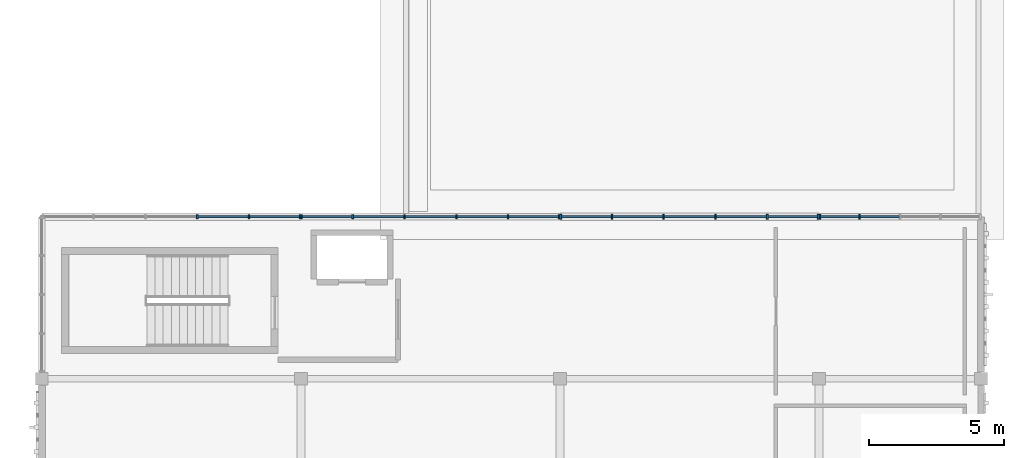
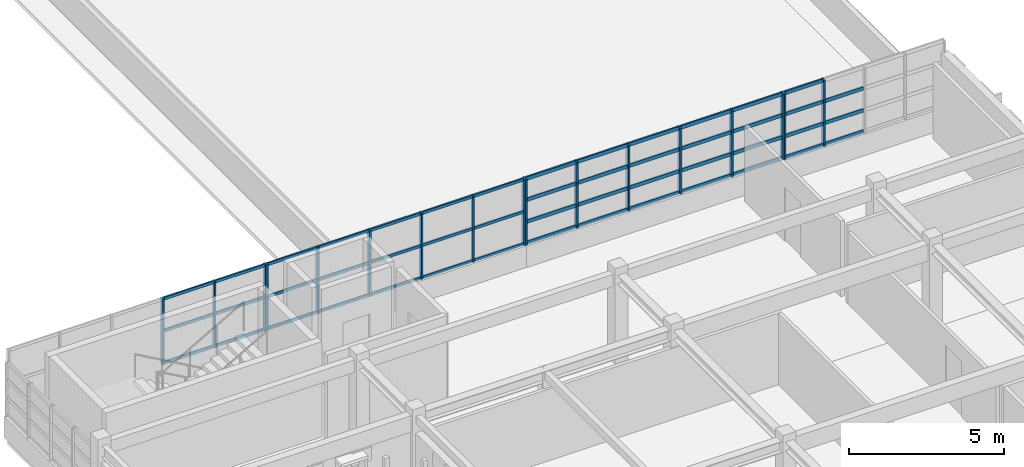
# One storey, part 16 of 53: 65 members, 4 elements without a shape of their own.
"""IFC4 building model written with IfcOpenShell, lengths in metres."""

from ifc_helpers import new_model, si_unit, direction, frame, origin, origin_2d, place, context, subcontext, project, spatial, rectangle, extrude, material, material_profile, profile_set, type_object, element, aggregate, save


model = new_model("IFC4")

# Units and contexts
model_context = context("Model", 3, precision=1e-05, world=origin(), true_north=direction((0.0, 1.0)))
body_context = subcontext(model_context, "Body", "Model", "MODEL_VIEW")
ifc_project = project(units=[si_unit("LENGTHUNIT", "METRE"), si_unit("AREAUNIT", "SQUARE_METRE"), si_unit("VOLUMEUNIT", "CUBIC_METRE"), si_unit("PLANEANGLEUNIT", "RADIAN"), si_unit("MASSUNIT", "GRAM", prefix="KILO")], contexts=[model_context])

# Site, building, storey
site_placement = place(None, origin())
site = spatial("IfcSite", under=ifc_project, at=site_placement, CompositionType="ELEMENT")
building_placement = place(site_placement, origin())
building = spatial("IfcBuilding", under=site, at=building_placement, Name="Nzembalo Square Collegiate School", CompositionType="ELEMENT")
storey_placement = place(building_placement, frame((0.0, 0.0, 13.60009765625)))
storey = spatial("IfcBuildingStorey", under=building, at=storey_placement, Name="L03", CompositionType="ELEMENT", Elevation=13.60009765625)

# Curtain wall, members
ifc_material_1 = material(Name="Aluminium 6060-T66", Category="aluminium")
curtain_wall_type_1 = type_object("IfcCurtainWallType", Name="CW-09", PredefinedType="USERDEFINED", material=ifc_material_1)
curtain_wall_1_placement = place(storey_placement, origin())
curtain_wall_1 = element("IfcCurtainWall", 1, at=curtain_wall_1_placement, inside=storey, type_object=curtain_wall_type_1, Name="Curtain wall CW-09 cw:L03:124", ObjectType="UNITISED", PredefinedType="USERDEFINED")
ifc_material_2 = material(Name="Aluminium 6060-T66", Category="aluminium")
ifc_material_profile_1 = material_profile(ifc_material_2, rectangle(XDim=0.06005859375, YDim=0.179931640625, at=origin_2d()), Name="ALU M60x180")
ifc_profile_set_1 = profile_set([ifc_material_profile_1], Name="Aluminium 6060-T66")
member_type_1 = type_object("IfcMemberType", Name="ML01", PredefinedType="MULLION", material=ifc_profile_set_1)
member_1_placement = place(storey_placement, frame((150.030029296875, 88.800048828125, 0.849853515625), z_axis=(0.0, 0.0, 1.0), x_axis=(1.0, 0.0, 0.0)))
member_1 = element("IfcMember", 2, at=member_1_placement, type_object=member_type_1, Name="ML01 mullion 1", PredefinedType="MULLION", context=body_context, shape_type="SweptSolid", body=[
    extrude(rectangle(XDim=0.06005859375, YDim=0.179931640625, at=origin_2d()), origin(), (0.0, 0.0, 1.0), 2.583984375),
])
member_2_placement = place(storey_placement, frame((151.919921875, 88.800048828125, 0.849853515625), z_axis=(0.0, 0.0, 1.0), x_axis=(1.0, 0.0, 0.0)))
member_2 = element("IfcMember", 3, at=member_2_placement, type_object=member_type_1, Name="ML01 mullion 2", PredefinedType="MULLION", context=body_context, shape_type="SweptSolid", body=[
    extrude(rectangle(XDim=0.06005859375, YDim=0.179931640625, at=origin_2d()), origin(), (0.0, 0.0, 1.0), 2.583984375),
])
member_3_placement = place(storey_placement, frame((153.840087890625, 88.800048828125, 0.849853515625), z_axis=(0.0, 0.0, 1.0), x_axis=(1.0, 0.0, 0.0)))
member_3 = element("IfcMember", 4, at=member_3_placement, type_object=member_type_1, Name="ML01 mullion 3", PredefinedType="MULLION", context=body_context, shape_type="SweptSolid", body=[
    extrude(rectangle(XDim=0.06005859375, YDim=0.179931640625, at=origin_2d()), origin(), (0.0, 0.0, 1.0), 2.583984375),
])
member_4_placement = place(storey_placement, frame((155.760009765625, 88.800048828125, 0.849853515625), z_axis=(0.0, 0.0, 1.0), x_axis=(1.0, 0.0, 0.0)))
member_4 = element("IfcMember", 5, at=member_4_placement, type_object=member_type_1, Name="ML01 mullion 4", PredefinedType="MULLION", context=body_context, shape_type="SweptSolid", body=[
    extrude(rectangle(XDim=0.06005859375, YDim=0.179931640625, at=origin_2d()), origin(), (0.0, 0.0, 1.0), 2.583984375),
])
member_5_placement = place(storey_placement, frame((157.679931640625, 88.800048828125, 0.849853515625), z_axis=(0.0, 0.0, 1.0), x_axis=(1.0, 0.0, 0.0)))
member_5 = element("IfcMember", 6, at=member_5_placement, type_object=member_type_1, Name="ML01 mullion 5", PredefinedType="MULLION", context=body_context, shape_type="SweptSolid", body=[
    extrude(rectangle(XDim=0.06005859375, YDim=0.179931640625, at=origin_2d()), origin(), (0.0, 0.0, 1.0), 2.583984375),
])
member_6_placement = place(storey_placement, frame((159.570068359375, 88.800048828125, 0.849853515625), z_axis=(0.0, 0.0, 1.0), x_axis=(1.0, 0.0, 0.0)))
member_6 = element("IfcMember", 7, at=member_6_placement, type_object=member_type_1, Name="ML01 mullion 6", PredefinedType="MULLION", context=body_context, shape_type="SweptSolid", body=[
    extrude(rectangle(XDim=0.06005859375, YDim=0.179931640625, at=origin_2d()), origin(), (0.0, 0.0, 1.0), 2.583984375),
])

ifc_material_3 = material(Name="Aluminium 6060-T66", Category="aluminium")
curtain_wall_type_2 = type_object("IfcCurtainWallType", Name="CW-06", PredefinedType="USERDEFINED", material=ifc_material_3)
curtain_wall_2_placement = place(storey_placement, origin())
curtain_wall_2 = element("IfcCurtainWall", 8, at=curtain_wall_2_placement, inside=storey, type_object=curtain_wall_type_2, Name="Curtain wall CW-06 cw:L03:125", ObjectType="LANCET", PredefinedType="USERDEFINED")
member_7_placement = place(storey_placement, frame((159.6298828125, 88.800048828125, 0.849853515625), z_axis=(0.0, 0.0, 1.0), x_axis=(1.0, 0.0, 0.0)))
member_7 = element("IfcMember", 9, at=member_7_placement, type_object=member_type_1, Name="ML01 mullion 1", PredefinedType="MULLION", context=body_context, shape_type="SweptSolid", body=[
    extrude(rectangle(XDim=0.06005859375, YDim=0.179931640625, at=origin_2d()), origin(), (0.0, 0.0, 1.0), 2.583984375),
])
member_8_placement = place(storey_placement, frame((161.10009765625, 88.800048828125, 0.849853515625), z_axis=(0.0, 0.0, 1.0), x_axis=(1.0, 0.0, 0.0)))
member_8 = element("IfcMember", 10, at=member_8_placement, type_object=member_type_1, Name="ML01 mullion 2", PredefinedType="MULLION", context=body_context, shape_type="SweptSolid", body=[
    extrude(rectangle(XDim=0.06005859375, YDim=0.179931640625, at=origin_2d()), origin(), (0.0, 0.0, 1.0), 2.583984375),
])

ifc_material_4 = material(Name="Aluminium 6060-T66", Category="aluminium")
curtain_wall_type_3 = type_object("IfcCurtainWallType", Name="CW-11", PredefinedType="USERDEFINED", material=ifc_material_4)
curtain_wall_3_placement = place(storey_placement, origin())
curtain_wall_3 = element("IfcCurtainWall", 11, at=curtain_wall_3_placement, inside=storey, type_object=curtain_wall_type_3, Name="Curtain wall CW-11 cw:L03:122", ObjectType="LANCET", PredefinedType="USERDEFINED")
ifc_material_5 = material(Name="Aluminium 6060-T66", Category="aluminium")
ifc_material_profile_2 = material_profile(ifc_material_5, rectangle(XDim=0.06005859375, YDim=0.14990234375, at=origin_2d()), Name="ALU M60x150")
ifc_profile_set_2 = profile_set([ifc_material_profile_2], Name="Aluminium 6060-T66")
member_type_2 = type_object("IfcMemberType", Name="ML02", PredefinedType="MULLION", material=ifc_profile_set_2)
member_9_placement = place(storey_placement, frame((136.56005859375, 88.800048828125, 0.849853515625), z_axis=(0.0, 0.0, 1.0), x_axis=(1.0, 0.0, 0.0)))
member_9 = element("IfcMember", 12, at=member_9_placement, type_object=member_type_2, Name="ML02 mullion 4", PredefinedType="MULLION", context=body_context, shape_type="SweptSolid", body=[
    extrude(rectangle(XDim=0.06005859375, YDim=0.14990234375, at=origin_2d()), origin(), (0.0, 0.0, 1.0), 2.583984375),
])
member_10_placement = place(storey_placement, frame((138.47998046875, 88.800048828125, 0.849853515625), z_axis=(0.0, 0.0, 1.0), x_axis=(1.0, 0.0, 0.0)))
member_10 = element("IfcMember", 13, at=member_10_placement, type_object=member_type_2, Name="ML02 mullion 5", PredefinedType="MULLION", context=body_context, shape_type="SweptSolid", body=[
    extrude(rectangle(XDim=0.06005859375, YDim=0.14990234375, at=origin_2d()), origin(), (0.0, 0.0, 1.0), 2.583984375),
])
member_11_placement = place(storey_placement, frame((140.3701171875, 88.800048828125, 0.849853515625), z_axis=(0.0, 0.0, 1.0), x_axis=(1.0, 0.0, 0.0)))
member_11 = element("IfcMember", 14, at=member_11_placement, type_object=member_type_2, Name="ML02 mullion 6", PredefinedType="MULLION", context=body_context, shape_type="SweptSolid", body=[
    extrude(rectangle(XDim=0.06005859375, YDim=0.14990234375, at=origin_2d()), origin(), (0.0, 0.0, 1.0), 2.583984375),
])

ifc_material_6 = material(Name="Aluminium 6060-T66", Category="aluminium")
curtain_wall_type_4 = type_object("IfcCurtainWallType", Name="CW-12", PredefinedType="USERDEFINED", material=ifc_material_6)
curtain_wall_4_placement = place(storey_placement, origin())
curtain_wall_4 = element("IfcCurtainWall", 15, at=curtain_wall_4_placement, inside=storey, type_object=curtain_wall_type_4, Name="Curtain wall CW-12 cw:L03:123", ObjectType="LANCET", PredefinedType="USERDEFINED")
member_12_placement = place(storey_placement, frame((140.429931640625, 88.800048828125, 0.849853515625), z_axis=(0.0, 0.0, 1.0), x_axis=(1.0, 0.0, 0.0)))
member_12 = element("IfcMember", 16, at=member_12_placement, type_object=member_type_2, Name="ML02 mullion 1", PredefinedType="MULLION", context=body_context, shape_type="SweptSolid", body=[
    extrude(rectangle(XDim=0.06005859375, YDim=0.14990234375, at=origin_2d()), origin(), (0.0, 0.0, 1.0), 2.583984375),
])
member_13_placement = place(storey_placement, frame((142.320068359375, 88.800048828125, 0.849853515625), z_axis=(0.0, 0.0, 1.0), x_axis=(1.0, 0.0, 0.0)))
member_13 = element("IfcMember", 17, at=member_13_placement, type_object=member_type_2, Name="ML02 mullion 2", PredefinedType="MULLION", context=body_context, shape_type="SweptSolid", body=[
    extrude(rectangle(XDim=0.06005859375, YDim=0.14990234375, at=origin_2d()), origin(), (0.0, 0.0, 1.0), 2.583984375),
])
member_14_placement = place(storey_placement, frame((144.239990234375, 88.800048828125, 0.849853515625), z_axis=(0.0, 0.0, 1.0), x_axis=(1.0, 0.0, 0.0)))
member_14 = element("IfcMember", 18, at=member_14_placement, type_object=member_type_2, Name="ML02 mullion 3", PredefinedType="MULLION", context=body_context, shape_type="SweptSolid", body=[
    extrude(rectangle(XDim=0.06005859375, YDim=0.14990234375, at=origin_2d()), origin(), (0.0, 0.0, 1.0), 2.583984375),
])
member_15_placement = place(storey_placement, frame((146.159912109375, 88.800048828125, 0.849853515625), z_axis=(0.0, 0.0, 1.0), x_axis=(1.0, 0.0, 0.0)))
member_15 = element("IfcMember", 19, at=member_15_placement, type_object=member_type_2, Name="ML02 mullion 4", PredefinedType="MULLION", context=body_context, shape_type="SweptSolid", body=[
    extrude(rectangle(XDim=0.06005859375, YDim=0.14990234375, at=origin_2d()), origin(), (0.0, 0.0, 1.0), 2.583984375),
])
member_16_placement = place(storey_placement, frame((148.080078125, 88.800048828125, 0.849853515625), z_axis=(0.0, 0.0, 1.0), x_axis=(1.0, 0.0, 0.0)))
member_16 = element("IfcMember", 20, at=member_16_placement, type_object=member_type_2, Name="ML02 mullion 5", PredefinedType="MULLION", context=body_context, shape_type="SweptSolid", body=[
    extrude(rectangle(XDim=0.06005859375, YDim=0.14990234375, at=origin_2d()), origin(), (0.0, 0.0, 1.0), 2.583984375),
])
member_17_placement = place(storey_placement, frame((149.969970703125, 88.800048828125, 0.849853515625), z_axis=(0.0, 0.0, 1.0), x_axis=(1.0, 0.0, 0.0)))
member_17 = element("IfcMember", 21, at=member_17_placement, type_object=member_type_2, Name="ML02 mullion 6", PredefinedType="MULLION", context=body_context, shape_type="SweptSolid", body=[
    extrude(rectangle(XDim=0.06005859375, YDim=0.14990234375, at=origin_2d()), origin(), (0.0, 0.0, 1.0), 2.583984375),
])

# Member
ifc_material_7 = material(Name="Aluminium 6060-T66", Category="aluminium")
ifc_material_profile_3 = material_profile(ifc_material_7, rectangle(XDim=0.06005859375, YDim=0.139892578125, at=origin_2d()), Name="ALU T60x140")
ifc_profile_set_3 = profile_set([ifc_material_profile_3], Name="Aluminium 6060-T66")
member_type_3 = type_object("IfcMemberType", Name="TR01", PredefinedType="USERDEFINED", material=ifc_profile_set_3)
member_18_placement = place(storey_placement, frame((150.06005859375, 88.800048828125, 0.8798828125), z_axis=(1.0, 0.0, 0.0), x_axis=(0.0, 1.0, 0.0)))
member_18 = element("IfcMember", 22, at=member_18_placement, type_object=member_type_3, Name="TR01 transom 1-1", ObjectType="TRANSOM", PredefinedType="USERDEFINED", context=body_context, shape_type="SweptSolid", body=[
    extrude(rectangle(XDim=0.06005859375, YDim=0.139892578125, at=origin_2d()), origin(), (0.0, 0.0, 1.0), 1.829833984375),
])

member_19_placement = place(storey_placement, frame((151.949951171875, 88.800048828125, 0.8798828125), z_axis=(1.0, 0.0, 0.0), x_axis=(0.0, 1.0, 0.0)))
member_19 = element("IfcMember", 23, at=member_19_placement, type_object=member_type_3, Name="TR01 transom 1-2", ObjectType="TRANSOM", PredefinedType="USERDEFINED", context=body_context, shape_type="SweptSolid", body=[
    extrude(rectangle(XDim=0.06005859375, YDim=0.139892578125, at=origin_2d()), origin(), (0.0, 0.0, 1.0), 1.860107421875),
])

member_20_placement = place(storey_placement, frame((153.8701171875, 88.800048828125, 0.8798828125), z_axis=(1.0, 0.0, 0.0), x_axis=(0.0, 1.0, 0.0)))
member_20 = element("IfcMember", 24, at=member_20_placement, type_object=member_type_3, Name="TR01 transom 1-3", ObjectType="TRANSOM", PredefinedType="USERDEFINED", context=body_context, shape_type="SweptSolid", body=[
    extrude(rectangle(XDim=0.06005859375, YDim=0.139892578125, at=origin_2d()), origin(), (0.0, 0.0, 1.0), 1.85986328125),
])

member_21_placement = place(storey_placement, frame((155.7900390625, 88.800048828125, 0.8798828125), z_axis=(1.0, 0.0, 0.0), x_axis=(0.0, 1.0, 0.0)))
member_21 = element("IfcMember", 25, at=member_21_placement, type_object=member_type_3, Name="TR01 transom 1-4", ObjectType="TRANSOM", PredefinedType="USERDEFINED", context=body_context, shape_type="SweptSolid", body=[
    extrude(rectangle(XDim=0.06005859375, YDim=0.139892578125, at=origin_2d()), origin(), (0.0, 0.0, 1.0), 1.85986328125),
])

member_22_placement = place(storey_placement, frame((157.7099609375, 88.800048828125, 0.8798828125), z_axis=(1.0, 0.0, 0.0), x_axis=(0.0, 1.0, 0.0)))
member_22 = element("IfcMember", 26, at=member_22_placement, type_object=member_type_3, Name="TR01 transom 1-5", ObjectType="TRANSOM", PredefinedType="USERDEFINED", context=body_context, shape_type="SweptSolid", body=[
    extrude(rectangle(XDim=0.06005859375, YDim=0.139892578125, at=origin_2d()), origin(), (0.0, 0.0, 1.0), 1.830078125),
])

member_23_placement = place(storey_placement, frame((150.06005859375, 88.800048828125, 1.711181640625), z_axis=(1.0, 0.0, 0.0), x_axis=(0.0, 1.0, 0.0)))
member_23 = element("IfcMember", 27, at=member_23_placement, type_object=member_type_3, Name="TR01 transom 2-1", ObjectType="TRANSOM", PredefinedType="USERDEFINED", context=body_context, shape_type="SweptSolid", body=[
    extrude(rectangle(XDim=0.06005859375, YDim=0.139892578125, at=origin_2d()), origin(), (0.0, 0.0, 1.0), 1.829833984375),
])

member_24_placement = place(storey_placement, frame((151.949951171875, 88.800048828125, 1.711181640625), z_axis=(1.0, 0.0, 0.0), x_axis=(0.0, 1.0, 0.0)))
member_24 = element("IfcMember", 28, at=member_24_placement, type_object=member_type_3, Name="TR01 transom 2-2", ObjectType="TRANSOM", PredefinedType="USERDEFINED", context=body_context, shape_type="SweptSolid", body=[
    extrude(rectangle(XDim=0.06005859375, YDim=0.139892578125, at=origin_2d()), origin(), (0.0, 0.0, 1.0), 1.860107421875),
])

member_25_placement = place(storey_placement, frame((153.8701171875, 88.800048828125, 1.711181640625), z_axis=(1.0, 0.0, 0.0), x_axis=(0.0, 1.0, 0.0)))
member_25 = element("IfcMember", 29, at=member_25_placement, type_object=member_type_3, Name="TR01 transom 2-3", ObjectType="TRANSOM", PredefinedType="USERDEFINED", context=body_context, shape_type="SweptSolid", body=[
    extrude(rectangle(XDim=0.06005859375, YDim=0.139892578125, at=origin_2d()), origin(), (0.0, 0.0, 1.0), 1.85986328125),
])

member_26_placement = place(storey_placement, frame((155.7900390625, 88.800048828125, 1.711181640625), z_axis=(1.0, 0.0, 0.0), x_axis=(0.0, 1.0, 0.0)))
member_26 = element("IfcMember", 30, at=member_26_placement, type_object=member_type_3, Name="TR01 transom 2-4", ObjectType="TRANSOM", PredefinedType="USERDEFINED", context=body_context, shape_type="SweptSolid", body=[
    extrude(rectangle(XDim=0.06005859375, YDim=0.139892578125, at=origin_2d()), origin(), (0.0, 0.0, 1.0), 1.85986328125),
])

member_27_placement = place(storey_placement, frame((157.7099609375, 88.800048828125, 1.711181640625), z_axis=(1.0, 0.0, 0.0), x_axis=(0.0, 1.0, 0.0)))
member_27 = element("IfcMember", 31, at=member_27_placement, type_object=member_type_3, Name="TR01 transom 2-5", ObjectType="TRANSOM", PredefinedType="USERDEFINED", context=body_context, shape_type="SweptSolid", body=[
    extrude(rectangle(XDim=0.06005859375, YDim=0.139892578125, at=origin_2d()), origin(), (0.0, 0.0, 1.0), 1.830078125),
])

member_28_placement = place(storey_placement, frame((150.06005859375, 88.800048828125, 2.572509765625), z_axis=(1.0, 0.0, 0.0), x_axis=(0.0, 1.0, 0.0)))
member_28 = element("IfcMember", 32, at=member_28_placement, type_object=member_type_3, Name="TR01 transom 3-1", ObjectType="TRANSOM", PredefinedType="USERDEFINED", context=body_context, shape_type="SweptSolid", body=[
    extrude(rectangle(XDim=0.06005859375, YDim=0.139892578125, at=origin_2d()), origin(), (0.0, 0.0, 1.0), 1.829833984375),
])

member_29_placement = place(storey_placement, frame((151.949951171875, 88.800048828125, 2.572509765625), z_axis=(1.0, 0.0, 0.0), x_axis=(0.0, 1.0, 0.0)))
member_29 = element("IfcMember", 33, at=member_29_placement, type_object=member_type_3, Name="TR01 transom 3-2", ObjectType="TRANSOM", PredefinedType="USERDEFINED", context=body_context, shape_type="SweptSolid", body=[
    extrude(rectangle(XDim=0.06005859375, YDim=0.139892578125, at=origin_2d()), origin(), (0.0, 0.0, 1.0), 1.860107421875),
])

member_30_placement = place(storey_placement, frame((153.8701171875, 88.800048828125, 2.572509765625), z_axis=(1.0, 0.0, 0.0), x_axis=(0.0, 1.0, 0.0)))
member_30 = element("IfcMember", 34, at=member_30_placement, type_object=member_type_3, Name="TR01 transom 3-3", ObjectType="TRANSOM", PredefinedType="USERDEFINED", context=body_context, shape_type="SweptSolid", body=[
    extrude(rectangle(XDim=0.06005859375, YDim=0.139892578125, at=origin_2d()), origin(), (0.0, 0.0, 1.0), 1.85986328125),
])

member_31_placement = place(storey_placement, frame((155.7900390625, 88.800048828125, 2.572509765625), z_axis=(1.0, 0.0, 0.0), x_axis=(0.0, 1.0, 0.0)))
member_31 = element("IfcMember", 35, at=member_31_placement, type_object=member_type_3, Name="TR01 transom 3-4", ObjectType="TRANSOM", PredefinedType="USERDEFINED", context=body_context, shape_type="SweptSolid", body=[
    extrude(rectangle(XDim=0.06005859375, YDim=0.139892578125, at=origin_2d()), origin(), (0.0, 0.0, 1.0), 1.85986328125),
])

member_32_placement = place(storey_placement, frame((157.7099609375, 88.800048828125, 2.572509765625), z_axis=(1.0, 0.0, 0.0), x_axis=(0.0, 1.0, 0.0)))
member_32 = element("IfcMember", 36, at=member_32_placement, type_object=member_type_3, Name="TR01 transom 3-5", ObjectType="TRANSOM", PredefinedType="USERDEFINED", context=body_context, shape_type="SweptSolid", body=[
    extrude(rectangle(XDim=0.06005859375, YDim=0.139892578125, at=origin_2d()), origin(), (0.0, 0.0, 1.0), 1.830078125),
])

member_33_placement = place(storey_placement, frame((150.06005859375, 88.800048828125, 3.40380859375), z_axis=(1.0, 0.0, 0.0), x_axis=(0.0, 1.0, 0.0)))
member_33 = element("IfcMember", 37, at=member_33_placement, type_object=member_type_3, Name="TR01 transom 4-1", ObjectType="TRANSOM", PredefinedType="USERDEFINED", context=body_context, shape_type="SweptSolid", body=[
    extrude(rectangle(XDim=0.06005859375, YDim=0.139892578125, at=origin_2d()), origin(), (0.0, 0.0, 1.0), 1.829833984375),
])

member_34_placement = place(storey_placement, frame((151.949951171875, 88.800048828125, 3.40380859375), z_axis=(1.0, 0.0, 0.0), x_axis=(0.0, 1.0, 0.0)))
member_34 = element("IfcMember", 38, at=member_34_placement, type_object=member_type_3, Name="TR01 transom 4-2", ObjectType="TRANSOM", PredefinedType="USERDEFINED", context=body_context, shape_type="SweptSolid", body=[
    extrude(rectangle(XDim=0.06005859375, YDim=0.139892578125, at=origin_2d()), origin(), (0.0, 0.0, 1.0), 1.860107421875),
])

member_35_placement = place(storey_placement, frame((153.8701171875, 88.800048828125, 3.40380859375), z_axis=(1.0, 0.0, 0.0), x_axis=(0.0, 1.0, 0.0)))
member_35 = element("IfcMember", 39, at=member_35_placement, type_object=member_type_3, Name="TR01 transom 4-3", ObjectType="TRANSOM", PredefinedType="USERDEFINED", context=body_context, shape_type="SweptSolid", body=[
    extrude(rectangle(XDim=0.06005859375, YDim=0.139892578125, at=origin_2d()), origin(), (0.0, 0.0, 1.0), 1.85986328125),
])

member_36_placement = place(storey_placement, frame((155.7900390625, 88.800048828125, 3.40380859375), z_axis=(1.0, 0.0, 0.0), x_axis=(0.0, 1.0, 0.0)))
member_36 = element("IfcMember", 40, at=member_36_placement, type_object=member_type_3, Name="TR01 transom 4-4", ObjectType="TRANSOM", PredefinedType="USERDEFINED", context=body_context, shape_type="SweptSolid", body=[
    extrude(rectangle(XDim=0.06005859375, YDim=0.139892578125, at=origin_2d()), origin(), (0.0, 0.0, 1.0), 1.85986328125),
])

member_37_placement = place(storey_placement, frame((157.7099609375, 88.800048828125, 3.40380859375), z_axis=(1.0, 0.0, 0.0), x_axis=(0.0, 1.0, 0.0)))
member_37 = element("IfcMember", 41, at=member_37_placement, type_object=member_type_3, Name="TR01 transom 4-5", ObjectType="TRANSOM", PredefinedType="USERDEFINED", context=body_context, shape_type="SweptSolid", body=[
    extrude(rectangle(XDim=0.06005859375, YDim=0.139892578125, at=origin_2d()), origin(), (0.0, 0.0, 1.0), 1.830078125),
])

aggregate(curtain_wall_1, [member_1, member_2, member_3, member_4, member_5, member_6, member_18, member_19, member_20, member_21, member_22, member_23, member_24, member_25, member_26, member_27, member_28, member_29, member_30, member_31, member_32, member_33, member_34, member_35, member_36, member_37])

member_38_placement = place(storey_placement, frame((159.659912109375, 88.800048828125, 0.8798828125), z_axis=(1.0, 0.0, 0.0), x_axis=(0.0, 1.0, 0.0)))
member_38 = element("IfcMember", 42, at=member_38_placement, type_object=member_type_3, Name="TR01 transom 1-1", ObjectType="TRANSOM", PredefinedType="USERDEFINED", context=body_context, shape_type="SweptSolid", body=[
    extrude(rectangle(XDim=0.06005859375, YDim=0.139892578125, at=origin_2d()), origin(), (0.0, 0.0, 1.0), 1.41015625),
])

member_39_placement = place(storey_placement, frame((161.1298828125, 88.800048828125, 0.8798828125), z_axis=(1.0, 0.0, 0.0), x_axis=(0.0, 1.0, 0.0)))
member_39 = element("IfcMember", 43, at=member_39_placement, type_object=member_type_3, Name="TR01 transom 1-2", ObjectType="TRANSOM", PredefinedType="USERDEFINED", context=body_context, shape_type="SweptSolid", body=[
    extrude(rectangle(XDim=0.06005859375, YDim=0.139892578125, at=origin_2d()), origin(), (0.0, 0.0, 1.0), 1.440185546875),
])

member_40_placement = place(storey_placement, frame((159.659912109375, 88.800048828125, 1.711181640625), z_axis=(1.0, 0.0, 0.0), x_axis=(0.0, 1.0, 0.0)))
member_40 = element("IfcMember", 44, at=member_40_placement, type_object=member_type_3, Name="TR01 transom 2-1", ObjectType="TRANSOM", PredefinedType="USERDEFINED", context=body_context, shape_type="SweptSolid", body=[
    extrude(rectangle(XDim=0.06005859375, YDim=0.139892578125, at=origin_2d()), origin(), (0.0, 0.0, 1.0), 1.41015625),
])

member_41_placement = place(storey_placement, frame((161.1298828125, 88.800048828125, 1.711181640625), z_axis=(1.0, 0.0, 0.0), x_axis=(0.0, 1.0, 0.0)))
member_41 = element("IfcMember", 45, at=member_41_placement, type_object=member_type_3, Name="TR01 transom 2-2", ObjectType="TRANSOM", PredefinedType="USERDEFINED", context=body_context, shape_type="SweptSolid", body=[
    extrude(rectangle(XDim=0.06005859375, YDim=0.139892578125, at=origin_2d()), origin(), (0.0, 0.0, 1.0), 1.440185546875),
])

member_42_placement = place(storey_placement, frame((159.659912109375, 88.800048828125, 2.572509765625), z_axis=(1.0, 0.0, 0.0), x_axis=(0.0, 1.0, 0.0)))
member_42 = element("IfcMember", 46, at=member_42_placement, type_object=member_type_3, Name="TR01 transom 3-1", ObjectType="TRANSOM", PredefinedType="USERDEFINED", context=body_context, shape_type="SweptSolid", body=[
    extrude(rectangle(XDim=0.06005859375, YDim=0.139892578125, at=origin_2d()), origin(), (0.0, 0.0, 1.0), 1.41015625),
])

member_43_placement = place(storey_placement, frame((161.1298828125, 88.800048828125, 2.572509765625), z_axis=(1.0, 0.0, 0.0), x_axis=(0.0, 1.0, 0.0)))
member_43 = element("IfcMember", 47, at=member_43_placement, type_object=member_type_3, Name="TR01 transom 3-2", ObjectType="TRANSOM", PredefinedType="USERDEFINED", context=body_context, shape_type="SweptSolid", body=[
    extrude(rectangle(XDim=0.06005859375, YDim=0.139892578125, at=origin_2d()), origin(), (0.0, 0.0, 1.0), 1.440185546875),
])

member_44_placement = place(storey_placement, frame((159.659912109375, 88.800048828125, 3.40380859375), z_axis=(1.0, 0.0, 0.0), x_axis=(0.0, 1.0, 0.0)))
member_44 = element("IfcMember", 48, at=member_44_placement, type_object=member_type_3, Name="TR01 transom 4-1", ObjectType="TRANSOM", PredefinedType="USERDEFINED", context=body_context, shape_type="SweptSolid", body=[
    extrude(rectangle(XDim=0.06005859375, YDim=0.139892578125, at=origin_2d()), origin(), (0.0, 0.0, 1.0), 1.41015625),
])

aggregate(curtain_wall_2, [member_7, member_8, member_38, member_39, member_40, member_41, member_42, member_43, member_44])

ifc_material_8 = material(Name="Aluminium 6060-T66", Category="aluminium")
ifc_material_profile_4 = material_profile(ifc_material_8, rectangle(XDim=0.06005859375, YDim=0.110107421875, at=origin_2d()), Name="ALU T60x110")
ifc_profile_set_4 = profile_set([ifc_material_profile_4], Name="Aluminium 6060-T66")
member_type_4 = type_object("IfcMemberType", Name="TR02", PredefinedType="USERDEFINED", material=ifc_profile_set_4)
member_45_placement = place(storey_placement, frame((136.590087890625, 88.800048828125, 0.8798828125), z_axis=(1.0, 0.0, 0.0), x_axis=(0.0, 1.0, 0.0)))
member_45 = element("IfcMember", 49, at=member_45_placement, type_object=member_type_4, Name="TR02 transom 1-4", ObjectType="TRANSOM", PredefinedType="USERDEFINED", context=body_context, shape_type="SweptSolid", body=[
    extrude(rectangle(XDim=0.06005859375, YDim=0.110107421875, at=origin_2d()), origin(), (0.0, 0.0, 1.0), 1.85986328125),
])

member_46_placement = place(storey_placement, frame((138.510009765625, 88.800048828125, 0.8798828125), z_axis=(1.0, 0.0, 0.0), x_axis=(0.0, 1.0, 0.0)))
member_46 = element("IfcMember", 50, at=member_46_placement, type_object=member_type_4, Name="TR02 transom 1-5", ObjectType="TRANSOM", PredefinedType="USERDEFINED", context=body_context, shape_type="SweptSolid", body=[
    extrude(rectangle(XDim=0.06005859375, YDim=0.110107421875, at=origin_2d()), origin(), (0.0, 0.0, 1.0), 1.830078125),
])

member_47_placement = place(storey_placement, frame((136.590087890625, 88.800048828125, 2.141845703125), z_axis=(1.0, 0.0, 0.0), x_axis=(0.0, 1.0, 0.0)))
member_47 = element("IfcMember", 51, at=member_47_placement, type_object=member_type_4, Name="TR02 transom 2-4", ObjectType="TRANSOM", PredefinedType="USERDEFINED", context=body_context, shape_type="SweptSolid", body=[
    extrude(rectangle(XDim=0.06005859375, YDim=0.110107421875, at=origin_2d()), origin(), (0.0, 0.0, 1.0), 1.85986328125),
])

member_48_placement = place(storey_placement, frame((138.510009765625, 88.800048828125, 2.141845703125), z_axis=(1.0, 0.0, 0.0), x_axis=(0.0, 1.0, 0.0)))
member_48 = element("IfcMember", 52, at=member_48_placement, type_object=member_type_4, Name="TR02 transom 2-5", ObjectType="TRANSOM", PredefinedType="USERDEFINED", context=body_context, shape_type="SweptSolid", body=[
    extrude(rectangle(XDim=0.06005859375, YDim=0.110107421875, at=origin_2d()), origin(), (0.0, 0.0, 1.0), 1.830078125),
])

member_49_placement = place(storey_placement, frame((136.590087890625, 88.800048828125, 3.40380859375), z_axis=(1.0, 0.0, 0.0), x_axis=(0.0, 1.0, 0.0)))
member_49 = element("IfcMember", 53, at=member_49_placement, type_object=member_type_4, Name="TR02 transom 3-4", ObjectType="TRANSOM", PredefinedType="USERDEFINED", context=body_context, shape_type="SweptSolid", body=[
    extrude(rectangle(XDim=0.06005859375, YDim=0.110107421875, at=origin_2d()), origin(), (0.0, 0.0, 1.0), 1.85986328125),
])

member_50_placement = place(storey_placement, frame((138.510009765625, 88.800048828125, 3.40380859375), z_axis=(1.0, 0.0, 0.0), x_axis=(0.0, 1.0, 0.0)))
member_50 = element("IfcMember", 54, at=member_50_placement, type_object=member_type_4, Name="TR02 transom 3-5", ObjectType="TRANSOM", PredefinedType="USERDEFINED", context=body_context, shape_type="SweptSolid", body=[
    extrude(rectangle(XDim=0.06005859375, YDim=0.110107421875, at=origin_2d()), origin(), (0.0, 0.0, 1.0), 1.830078125),
])

aggregate(curtain_wall_3, [member_9, member_10, member_11, member_45, member_46, member_47, member_48, member_49, member_50])

member_51_placement = place(storey_placement, frame((140.4599609375, 88.800048828125, 0.8798828125), z_axis=(1.0, 0.0, 0.0), x_axis=(0.0, 1.0, 0.0)))
member_51 = element("IfcMember", 55, at=member_51_placement, type_object=member_type_4, Name="TR02 transom 1-1", ObjectType="TRANSOM", PredefinedType="USERDEFINED", context=body_context, shape_type="SweptSolid", body=[
    extrude(rectangle(XDim=0.06005859375, YDim=0.110107421875, at=origin_2d()), origin(), (0.0, 0.0, 1.0), 1.830078125),
])

member_52_placement = place(storey_placement, frame((142.35009765625, 88.800048828125, 0.8798828125), z_axis=(1.0, 0.0, 0.0), x_axis=(0.0, 1.0, 0.0)))
member_52 = element("IfcMember", 56, at=member_52_placement, type_object=member_type_4, Name="TR02 transom 1-2", ObjectType="TRANSOM", PredefinedType="USERDEFINED", context=body_context, shape_type="SweptSolid", body=[
    extrude(rectangle(XDim=0.06005859375, YDim=0.110107421875, at=origin_2d()), origin(), (0.0, 0.0, 1.0), 1.85986328125),
])

member_53_placement = place(storey_placement, frame((144.27001953125, 88.800048828125, 0.8798828125), z_axis=(1.0, 0.0, 0.0), x_axis=(0.0, 1.0, 0.0)))
member_53 = element("IfcMember", 57, at=member_53_placement, type_object=member_type_4, Name="TR02 transom 1-3", ObjectType="TRANSOM", PredefinedType="USERDEFINED", context=body_context, shape_type="SweptSolid", body=[
    extrude(rectangle(XDim=0.06005859375, YDim=0.110107421875, at=origin_2d()), origin(), (0.0, 0.0, 1.0), 1.85986328125),
])

member_54_placement = place(storey_placement, frame((146.18994140625, 88.800048828125, 0.8798828125), z_axis=(1.0, 0.0, 0.0), x_axis=(0.0, 1.0, 0.0)))
member_54 = element("IfcMember", 58, at=member_54_placement, type_object=member_type_4, Name="TR02 transom 1-4", ObjectType="TRANSOM", PredefinedType="USERDEFINED", context=body_context, shape_type="SweptSolid", body=[
    extrude(rectangle(XDim=0.06005859375, YDim=0.110107421875, at=origin_2d()), origin(), (0.0, 0.0, 1.0), 1.860107421875),
])

member_55_placement = place(storey_placement, frame((148.110107421875, 88.800048828125, 0.8798828125), z_axis=(1.0, 0.0, 0.0), x_axis=(0.0, 1.0, 0.0)))
member_55 = element("IfcMember", 59, at=member_55_placement, type_object=member_type_4, Name="TR02 transom 1-5", ObjectType="TRANSOM", PredefinedType="USERDEFINED", context=body_context, shape_type="SweptSolid", body=[
    extrude(rectangle(XDim=0.06005859375, YDim=0.110107421875, at=origin_2d()), origin(), (0.0, 0.0, 1.0), 1.829833984375),
])

member_56_placement = place(storey_placement, frame((140.4599609375, 88.800048828125, 2.141845703125), z_axis=(1.0, 0.0, 0.0), x_axis=(0.0, 1.0, 0.0)))
member_56 = element("IfcMember", 60, at=member_56_placement, type_object=member_type_4, Name="TR02 transom 2-1", ObjectType="TRANSOM", PredefinedType="USERDEFINED", context=body_context, shape_type="SweptSolid", body=[
    extrude(rectangle(XDim=0.06005859375, YDim=0.110107421875, at=origin_2d()), origin(), (0.0, 0.0, 1.0), 1.830078125),
])

member_57_placement = place(storey_placement, frame((142.35009765625, 88.800048828125, 2.141845703125), z_axis=(1.0, 0.0, 0.0), x_axis=(0.0, 1.0, 0.0)))
member_57 = element("IfcMember", 61, at=member_57_placement, type_object=member_type_4, Name="TR02 transom 2-2", ObjectType="TRANSOM", PredefinedType="USERDEFINED", context=body_context, shape_type="SweptSolid", body=[
    extrude(rectangle(XDim=0.06005859375, YDim=0.110107421875, at=origin_2d()), origin(), (0.0, 0.0, 1.0), 1.85986328125),
])

member_58_placement = place(storey_placement, frame((144.27001953125, 88.800048828125, 2.141845703125), z_axis=(1.0, 0.0, 0.0), x_axis=(0.0, 1.0, 0.0)))
member_58 = element("IfcMember", 62, at=member_58_placement, type_object=member_type_4, Name="TR02 transom 2-3", ObjectType="TRANSOM", PredefinedType="USERDEFINED", context=body_context, shape_type="SweptSolid", body=[
    extrude(rectangle(XDim=0.06005859375, YDim=0.110107421875, at=origin_2d()), origin(), (0.0, 0.0, 1.0), 1.85986328125),
])

member_59_placement = place(storey_placement, frame((146.18994140625, 88.800048828125, 2.141845703125), z_axis=(1.0, 0.0, 0.0), x_axis=(0.0, 1.0, 0.0)))
member_59 = element("IfcMember", 63, at=member_59_placement, type_object=member_type_4, Name="TR02 transom 2-4", ObjectType="TRANSOM", PredefinedType="USERDEFINED", context=body_context, shape_type="SweptSolid", body=[
    extrude(rectangle(XDim=0.06005859375, YDim=0.110107421875, at=origin_2d()), origin(), (0.0, 0.0, 1.0), 1.860107421875),
])

member_60_placement = place(storey_placement, frame((148.110107421875, 88.800048828125, 2.141845703125), z_axis=(1.0, 0.0, 0.0), x_axis=(0.0, 1.0, 0.0)))
member_60 = element("IfcMember", 64, at=member_60_placement, type_object=member_type_4, Name="TR02 transom 2-5", ObjectType="TRANSOM", PredefinedType="USERDEFINED", context=body_context, shape_type="SweptSolid", body=[
    extrude(rectangle(XDim=0.06005859375, YDim=0.110107421875, at=origin_2d()), origin(), (0.0, 0.0, 1.0), 1.829833984375),
])

member_61_placement = place(storey_placement, frame((140.4599609375, 88.800048828125, 3.40380859375), z_axis=(1.0, 0.0, 0.0), x_axis=(0.0, 1.0, 0.0)))
member_61 = element("IfcMember", 65, at=member_61_placement, type_object=member_type_4, Name="TR02 transom 3-1", ObjectType="TRANSOM", PredefinedType="USERDEFINED", context=body_context, shape_type="SweptSolid", body=[
    extrude(rectangle(XDim=0.06005859375, YDim=0.110107421875, at=origin_2d()), origin(), (0.0, 0.0, 1.0), 1.830078125),
])

member_62_placement = place(storey_placement, frame((142.35009765625, 88.800048828125, 3.40380859375), z_axis=(1.0, 0.0, 0.0), x_axis=(0.0, 1.0, 0.0)))
member_62 = element("IfcMember", 66, at=member_62_placement, type_object=member_type_4, Name="TR02 transom 3-2", ObjectType="TRANSOM", PredefinedType="USERDEFINED", context=body_context, shape_type="SweptSolid", body=[
    extrude(rectangle(XDim=0.06005859375, YDim=0.110107421875, at=origin_2d()), origin(), (0.0, 0.0, 1.0), 1.85986328125),
])

member_63_placement = place(storey_placement, frame((144.27001953125, 88.800048828125, 3.40380859375), z_axis=(1.0, 0.0, 0.0), x_axis=(0.0, 1.0, 0.0)))
member_63 = element("IfcMember", 67, at=member_63_placement, type_object=member_type_4, Name="TR02 transom 3-3", ObjectType="TRANSOM", PredefinedType="USERDEFINED", context=body_context, shape_type="SweptSolid", body=[
    extrude(rectangle(XDim=0.06005859375, YDim=0.110107421875, at=origin_2d()), origin(), (0.0, 0.0, 1.0), 1.85986328125),
])

member_64_placement = place(storey_placement, frame((146.18994140625, 88.800048828125, 3.40380859375), z_axis=(1.0, 0.0, 0.0), x_axis=(0.0, 1.0, 0.0)))
member_64 = element("IfcMember", 68, at=member_64_placement, type_object=member_type_4, Name="TR02 transom 3-4", ObjectType="TRANSOM", PredefinedType="USERDEFINED", context=body_context, shape_type="SweptSolid", body=[
    extrude(rectangle(XDim=0.06005859375, YDim=0.110107421875, at=origin_2d()), origin(), (0.0, 0.0, 1.0), 1.860107421875),
])

member_65_placement = place(storey_placement, frame((148.110107421875, 88.800048828125, 3.40380859375), z_axis=(1.0, 0.0, 0.0), x_axis=(0.0, 1.0, 0.0)))
member_65 = element("IfcMember", 69, at=member_65_placement, type_object=member_type_4, Name="TR02 transom 3-5", ObjectType="TRANSOM", PredefinedType="USERDEFINED", context=body_context, shape_type="SweptSolid", body=[
    extrude(rectangle(XDim=0.06005859375, YDim=0.110107421875, at=origin_2d()), origin(), (0.0, 0.0, 1.0), 1.829833984375),
])

aggregate(curtain_wall_4, [member_12, member_13, member_14, member_15, member_16, member_17, member_51, member_52, member_53, member_54, member_55, member_56, member_57, member_58, member_59, member_60, member_61, member_62, member_63, member_64, member_65])

save(model, "model.ifc")
